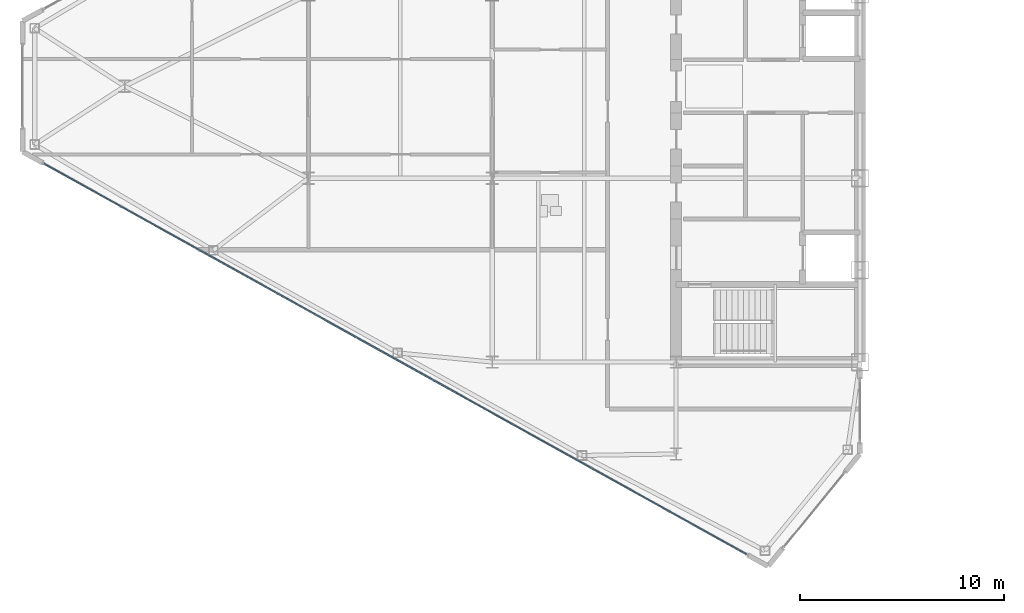
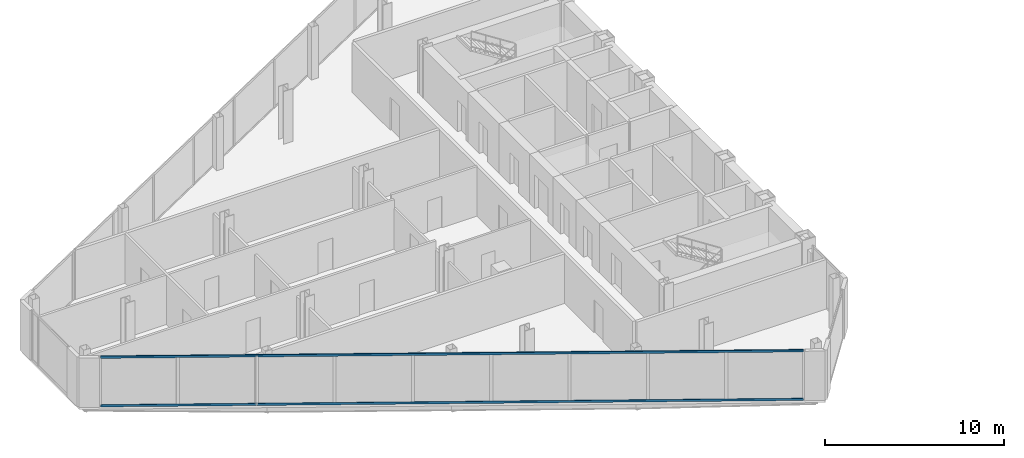
# One storey, part 4 of 26: 2 members, 1 element without a shape of its own.
"""IFC4 building model written with IfcOpenShell, lengths in metres."""

from ifc_helpers import new_model, si_unit, direction, frame, origin, origin_2d, place, context, subcontext, project, spatial, rectangle, extrude, source, transform, mapped, material, layer, layer_set, material_profile, profile_set, type_object, type_shapes, element, aggregate, save


model = new_model("IFC4")

# Units and contexts
model_context = context("Model", 3, precision=1e-05, world=origin(), true_north=direction((0.0, 1.0)))
body_context = subcontext(model_context, "Body", "Model", "MODEL_VIEW")
ifc_project = project(units=[si_unit("LENGTHUNIT", "METRE"), si_unit("AREAUNIT", "SQUARE_METRE"), si_unit("VOLUMEUNIT", "CUBIC_METRE"), si_unit("PLANEANGLEUNIT", "RADIAN"), si_unit("MASSUNIT", "GRAM", prefix="KILO")], contexts=[model_context])

# Site, building, storey
site_placement = place(None, origin())
site = spatial("IfcSite", under=ifc_project, at=site_placement, CompositionType="ELEMENT")
building_placement = place(site_placement, origin())
building = spatial("IfcBuilding", under=site, at=building_placement, Name="Seokmaru Belvedere", CompositionType="ELEMENT")
storey_placement = place(building_placement, frame((0.0, 0.0, 167.10009765625)))
storey = spatial("IfcBuildingStorey", under=building, at=storey_placement, Name="L44", CompositionType="ELEMENT", Elevation=167.10009765625)

# Curtain wall, members
ifc_material_1 = material(Name="Bronze Triple Insulating Glass", Category="glass")
ifc_layer = layer(ifc_material_1, 0.179931640625)
ifc_layer_set = layer_set([ifc_layer], Name="Bronze Triple Insulating Glass")
curtain_wall_type = type_object("IfcCurtainWallType", Name="High-Rise Wind-Corner Curtain Wall System CW-5", PredefinedType="NOTDEFINED", material=ifc_layer_set)
curtain_wall_placement = place(storey_placement, origin())
curtain_wall = element("IfcCurtainWall", 1, at=curtain_wall_placement, inside=storey, type_object=curtain_wall_type, Name="L44 Curtain Wall WF5", PredefinedType="NOTDEFINED")
ifc_material_2 = material(Name="Anodised Bronze Aluminium", Category="aluminium")
ifc_material_profile = material_profile(ifc_material_2, rectangle(XDim=0.06494140625, YDim=0.14990234375, at=origin_2d()), Name="CW-T-65x150")
ifc_profile_set = profile_set([ifc_material_profile], Name="Anodised Bronze Aluminium")
member_type = type_object("IfcMemberType", Name="Bronze Unitised Transom 65x150", PredefinedType="USERDEFINED", material=ifc_profile_set)
shared_shape = source(origin(), body_context, "Body", "SweptSolid", [
    extrude(rectangle(XDim=0.06494140625, YDim=0.14990234375, at=origin_2d()), origin(), (0.0, 0.0, 1.0), 39.33544921875),
])
type_shapes(member_type, [shared_shape])
member_1_placement = place(storey_placement, frame((-67.438232421875, -3.79052734375, 0.032470703125), z_axis=(0.873932045133, -0.486048125693, 0.0), x_axis=(0.486048125693, 0.873932045133, 0.0)))
member_1 = element("IfcMember", 2, at=member_1_placement, type_object=member_type, Name="CW:L44:WF5 Continuous Transom 1", ObjectType="TRANSOM", PredefinedType="USERDEFINED", context=body_context, shape_type="MappedRepresentation", body=[
    mapped(shared_shape, transform((0.0, 0.0, 0.0), scale=1.0)),
])
member_2_placement = place(storey_placement, frame((-67.438232421875, -3.79052734375, 3.347412109375), z_axis=(0.873932045133, -0.486048125693, 0.0), x_axis=(0.486048125693, 0.873932045133, 0.0)))
member_2 = element("IfcMember", 3, at=member_2_placement, type_object=member_type, Name="CW:L44:WF5 Continuous Transom 2", ObjectType="TRANSOM", PredefinedType="USERDEFINED", context=body_context, shape_type="MappedRepresentation", body=[
    mapped(shared_shape, transform((0.0, 0.0, 0.0), scale=1.0)),
])
aggregate(curtain_wall, [member_1, member_2])

save(model, "model.ifc")
